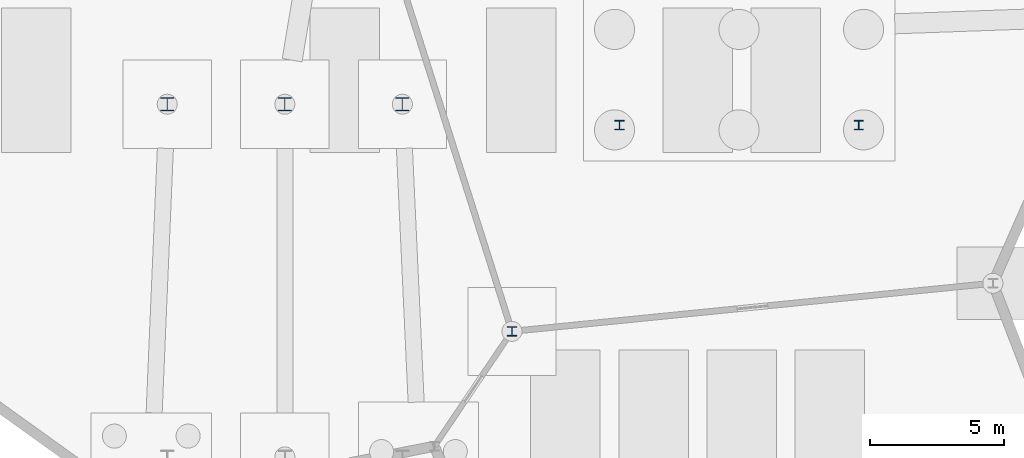
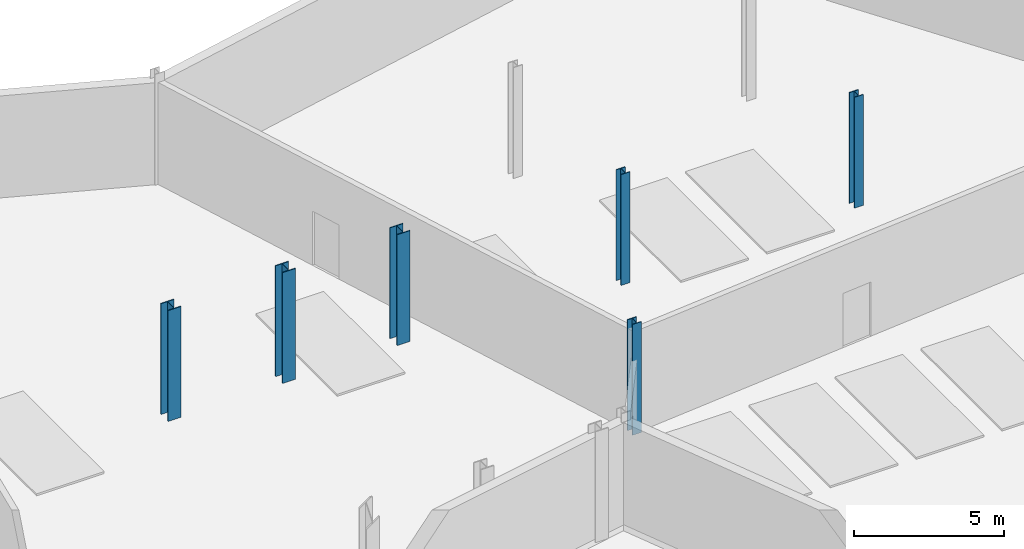
# One storey, part 21 of 37: 6 columns.
"""IFC4 building model written with IfcOpenShell, lengths in metres."""

from ifc_helpers import new_model, si_unit, direction, frame, origin, origin_2d, place, context, subcontext, project, spatial, i_section, extrude, material, material_profile, profile_set, type_object, element, save


model = new_model("IFC4")

# Units and contexts
model_context = context("Model", 3, precision=1e-05, world=origin(), true_north=direction((0.0, 1.0)))
body_context = subcontext(model_context, "Body", "Model", "MODEL_VIEW")
ifc_project = project(units=[si_unit("LENGTHUNIT", "METRE"), si_unit("AREAUNIT", "SQUARE_METRE"), si_unit("VOLUMEUNIT", "CUBIC_METRE"), si_unit("PLANEANGLEUNIT", "RADIAN"), si_unit("MASSUNIT", "GRAM", prefix="KILO")], contexts=[model_context])

# Site, building, storey
site_placement = place(None, origin())
site = spatial("IfcSite", under=ifc_project, at=site_placement, CompositionType="ELEMENT")
building_placement = place(site_placement, origin())
building = spatial("IfcBuilding", under=site, at=building_placement, Name="Tameran Prism Museum", CompositionType="ELEMENT")
storey_placement = place(building_placement, frame((0.0, 0.0, -4.5)))
storey = spatial("IfcBuildingStorey", under=building, at=storey_placement, Name="B1", CompositionType="ELEMENT", Elevation=-4.5)

# Columns
ifc_material_1 = material(Name="Steel Grade 350 (350 MPa)", Category="steel")
ifc_material_profile_1 = material_profile(ifc_material_1, i_section(OverallWidth=0.35009765625, OverallDepth=0.35009765625, WebThickness=0.02001953125, FlangeThickness=0.028076171875, at=origin_2d()))
ifc_profile_set_1 = profile_set([ifc_material_profile_1])
column_type_1 = type_object("IfcColumnType", Name="COL-WC350", PredefinedType="COLUMN", material=ifc_profile_set_1)
for number, where, z_axis, x_axis, name in (
    (1, (144.0, 22.199951171875, 0.0), (0.0, 0.0, 1.0), (1.0, 0.0, 0.0), "Column CV-61 B1"),
    (2, (148.02001953125, 29.919921875, 0.0), (0.0, 0.0, 1.0), (1.0, 0.0, 0.0), "Column CC-13-1 B1"),
    (3, (156.97998046875, 29.919921875, 0.0), (0.0, 0.0, 1.0), (1.0, 0.0, 0.0), "Column CC-13-2 B1"),
):
    element("IfcColumn", number, at=place(storey_placement, frame(where, z_axis=z_axis, x_axis=x_axis)), inside=storey, type_object=column_type_1, Name=name, PredefinedType="COLUMN", context=body_context, shape_type="SweptSolid", body=[
        extrude(i_section(OverallWidth=0.35009765625, OverallDepth=0.35009765625, WebThickness=0.02001953125, FlangeThickness=0.028076171875, at=origin_2d()), origin(), (0.0, 0.0, 1.0), 4.5),
    ])
ifc_material_2 = material(Name="Steel Grade 350 (350 MPa)", Category="steel")
ifc_material_profile_2 = material_profile(ifc_material_2, i_section(OverallWidth=0.5, OverallDepth=0.5, WebThickness=0.02197265625, FlangeThickness=0.035888671875, at=origin_2d()))
ifc_profile_set_2 = profile_set([ifc_material_profile_2])
column_type_2 = type_object("IfcColumnType", Name="COL-WC500", PredefinedType="COLUMN", material=ifc_profile_set_2)
for number, where, z_axis, x_axis, name in (
    (4, (131.10009765625, 30.699951171875, 0.0), (0.0, 0.0, 1.0), (1.0, 0.0, 0.0), "Column CT-1A B1"),
    (5, (135.5, 30.699951171875, 0.0), (0.0, 0.0, 1.0), (1.0, 0.0, 0.0), "Column CT-2A B1"),
    (6, (139.89990234375, 30.699951171875, 0.0), (0.0, 0.0, 1.0), (1.0, 0.0, 0.0), "Column CT-3A B1"),
):
    element("IfcColumn", number, at=place(storey_placement, frame(where, z_axis=z_axis, x_axis=x_axis)), inside=storey, type_object=column_type_2, Name=name, PredefinedType="COLUMN", context=body_context, shape_type="SweptSolid", body=[
        extrude(i_section(OverallWidth=0.5, OverallDepth=0.5, WebThickness=0.02197265625, FlangeThickness=0.035888671875, at=origin_2d()), origin(), (0.0, 0.0, 1.0), 4.5),
    ])

save(model, "model.ifc")
